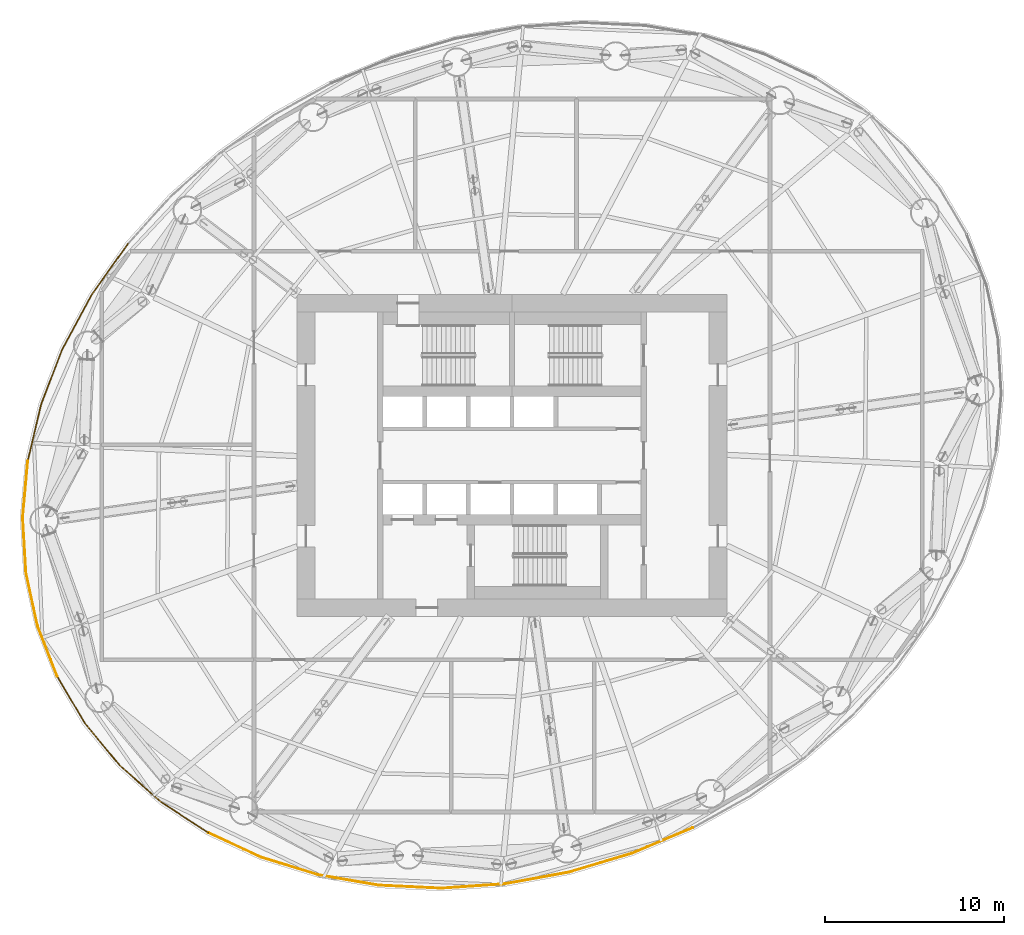
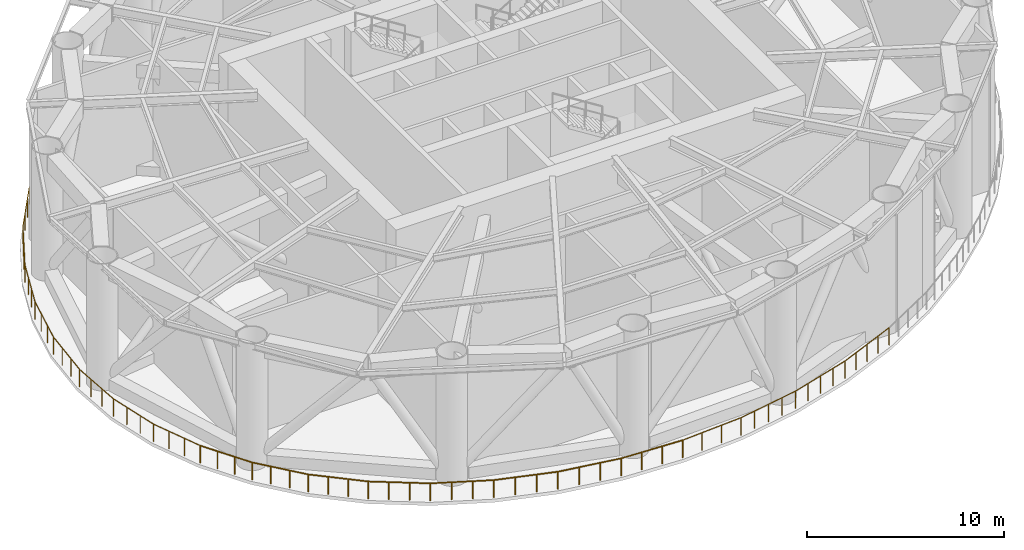
# One storey, part 13 of 15: 5 railings.
"""IFC4 building model written with IfcOpenShell, lengths in metres."""

from ifc_helpers import new_model, si_unit, direction, frame, origin, origin_2d, place, context, subcontext, project, spatial, circle, extrude, material, type_object, element, save


model = new_model("IFC4")

# Units and contexts
model_context = context("Model", 3, precision=1e-05, world=origin(), true_north=direction((0.0, 1.0)))
body_context = subcontext(model_context, "Body", "Model", "MODEL_VIEW")
ifc_project = project(units=[si_unit("LENGTHUNIT", "METRE"), si_unit("AREAUNIT", "SQUARE_METRE"), si_unit("VOLUMEUNIT", "CUBIC_METRE"), si_unit("PLANEANGLEUNIT", "RADIAN"), si_unit("MASSUNIT", "GRAM", prefix="KILO")], contexts=[model_context])

# Site, building, storey
site_placement = place(None, origin())
site = spatial("IfcSite", under=ifc_project, at=site_placement, CompositionType="ELEMENT")
building_placement = place(site_placement, origin())
building = spatial("IfcBuilding", under=site, at=building_placement, Name="Vermilion Reach Broadcast Tower", CompositionType="ELEMENT")
storey_placement = place(building_placement, frame((0.0, 0.0, 135.39990234375)))
storey = spatial("IfcBuildingStorey", under=building, at=storey_placement, Name="L32", CompositionType="ELEMENT", Elevation=135.39990234375)

# Railings
ifc_material = material(Name="Steel guardrail with stainless infill", Category="steel")
railing_type = type_object("IfcRailingType", Name="Open floor guardrail 1100", PredefinedType="GUARDRAIL", material=ifc_material)
railing_1_placement = place(storey_placement, frame((-27.44189453125, 11.813720703125, 0.0)))
element("IfcRailing", 1, at=railing_1_placement, inside=storey, type_object=railing_type, Name="sp.rail.L32.04", PredefinedType="GUARDRAIL", context=body_context, shape_type="SweptSolid", body=[
    extrude(circle(Radius=0.02490234375, at=origin_2d()), frame((0.0, 0.0, 1.0751953125), z_axis=(-0.579005853199, -0.815323384898, 0.0), x_axis=(0.815323384898, -0.579005853199, 0.0)), (0.0, 0.0, 1.0), 3.500244140625),
    extrude(circle(Radius=0.02490234375, at=origin_2d()), frame((-2.026611328125, -2.853759765625, 1.0751953125), z_axis=(-0.475254010474, -0.879848637851, 0.0), x_axis=(0.879848637851, -0.475254010474, 0.0)), (0.0, 0.0, 1.0), 3.417236328125),
    extrude(circle(Radius=0.02490234375, at=origin_2d()), frame((-3.650634765625, -5.8603515625, 1.0751953125), z_axis=(-0.358698940051, -0.933453303817, 0.0), x_axis=(0.933453303817, -0.358698940051, 0.0)), (0.0, 0.0, 1.0), 3.328857421875),
    extrude(circle(Radius=0.02490234375, at=origin_2d()), frame((-4.8447265625, -8.9677734375, 1.0751953125), z_axis=(-0.229631182242, -0.973277719945, 0.0), x_axis=(0.973277719945, -0.229631182242, 0.0)), (0.0, 0.0, 1.0), 3.24169921875),
    extrude(circle(Radius=0.02490234375, at=origin_2d()), origin(), (0.0, 0.0, 1.0), 1.050048828125),
    extrude(circle(Radius=0.02490234375, at=origin_2d()), frame((-0.675537109375, -0.951171875, 0.0)), (0.0, 0.0, 1.0), 1.050048828125),
    extrude(circle(Radius=0.02490234375, at=origin_2d()), frame((-1.35107421875, -1.902587890625, 0.0)), (0.0, 0.0, 1.0), 1.050048828125),
    extrude(circle(Radius=0.02490234375, at=origin_2d()), frame((-2.026611328125, -2.853759765625, 0.0)), (0.0, 0.0, 1.0), 1.050048828125),
    extrude(circle(Radius=0.02490234375, at=origin_2d()), frame((-2.56787109375, -3.85595703125, 0.0)), (0.0, 0.0, 1.0), 1.050048828125),
    extrude(circle(Radius=0.02490234375, at=origin_2d()), frame((-3.109375, -4.858154296875, 0.0)), (0.0, 0.0, 1.0), 1.050048828125),
    extrude(circle(Radius=0.02490234375, at=origin_2d()), frame((-3.650634765625, -5.8603515625, 0.0)), (0.0, 0.0, 1.0), 1.050048828125),
    extrude(circle(Radius=0.02490234375, at=origin_2d()), frame((-4.048583984375, -6.896240234375, 0.0)), (0.0, 0.0, 1.0), 1.050048828125),
    extrude(circle(Radius=0.02490234375, at=origin_2d()), frame((-4.44677734375, -7.931884765625, 0.0)), (0.0, 0.0, 1.0), 1.050048828125),
    extrude(circle(Radius=0.02490234375, at=origin_2d()), frame((-4.8447265625, -8.9677734375, 0.0)), (0.0, 0.0, 1.0), 1.050048828125),
    extrude(circle(Radius=0.02490234375, at=origin_2d()), frame((-5.0927734375, -10.01953125, 0.0)), (0.0, 0.0, 1.0), 1.050048828125),
    extrude(circle(Radius=0.02490234375, at=origin_2d()), frame((-5.341064453125, -11.071044921875, 0.0)), (0.0, 0.0, 1.0), 1.050048828125),
    extrude(circle(Radius=0.02490234375, at=origin_2d()), frame((-5.589111328125, -12.122802734375, 0.0)), (0.0, 0.0, 1.0), 1.050048828125),
])
railing_2_placement = place(storey_placement, frame((-33.031005859375, -0.30908203125, 0.0)))
element("IfcRailing", 2, at=railing_2_placement, inside=storey, type_object=railing_type, Name="sp.rail.L32.05", PredefinedType="GUARDRAIL", context=body_context, shape_type="SweptSolid", body=[
    extrude(circle(Radius=0.02490234375, at=origin_2d()), frame((0.0, 0.0, 1.0751953125), z_axis=(-0.089275341107, -0.996006984649, 0.0), x_axis=(0.996006984649, -0.089275341107, 0.0)), (0.0, 0.0, 1.0), 3.161376953125),
    extrude(circle(Radius=0.02490234375, at=origin_2d()), frame((-0.2822265625, -3.148681640625, 1.0751953125), z_axis=(0.059651707693, -0.998219251352, 0.0), x_axis=(0.998219251352, 0.059651707693, 0.0)), (0.0, 0.0, 1.0), 3.09423828125),
    extrude(circle(Radius=0.02490234375, at=origin_2d()), frame((-0.09765625, -6.2373046875, 1.0751953125), z_axis=(0.212582725919, -0.977143072759, 0.0), x_axis=(0.977143072759, 0.212582725919, 0.0)), (0.0, 0.0, 1.0), 3.045654296875),
    extrude(circle(Radius=0.02490234375, at=origin_2d()), frame((0.5498046875, -9.21337890625, 1.0751953125), z_axis=(0.363978728968, -0.931407260471, 0.0), x_axis=(0.931407260471, 0.363978728968, 0.0)), (0.0, 0.0, 1.0), 3.0205078125),
    extrude(circle(Radius=0.02490234375, at=origin_2d()), origin(), (0.0, 0.0, 1.0), 1.050048828125),
    extrude(circle(Radius=0.02490234375, at=origin_2d()), frame((-0.093994140625, -1.049560546875, 0.0)), (0.0, 0.0, 1.0), 1.050048828125),
    extrude(circle(Radius=0.02490234375, at=origin_2d()), frame((-0.188232421875, -2.09912109375, 0.0)), (0.0, 0.0, 1.0), 1.050048828125),
    extrude(circle(Radius=0.02490234375, at=origin_2d()), frame((-0.2822265625, -3.148681640625, 0.0)), (0.0, 0.0, 1.0), 1.050048828125),
    extrude(circle(Radius=0.02490234375, at=origin_2d()), frame((-0.220703125, -4.17822265625, 0.0)), (0.0, 0.0, 1.0), 1.050048828125),
    extrude(circle(Radius=0.02490234375, at=origin_2d()), frame((-0.1591796875, -5.207763671875, 0.0)), (0.0, 0.0, 1.0), 1.050048828125),
    extrude(circle(Radius=0.02490234375, at=origin_2d()), frame((-0.09765625, -6.2373046875, 0.0)), (0.0, 0.0, 1.0), 1.050048828125),
    extrude(circle(Radius=0.02490234375, at=origin_2d()), frame((0.1181640625, -7.229248046875, 0.0)), (0.0, 0.0, 1.0), 1.050048828125),
    extrude(circle(Radius=0.02490234375, at=origin_2d()), frame((0.333984375, -8.221435546875, 0.0)), (0.0, 0.0, 1.0), 1.050048828125),
    extrude(circle(Radius=0.02490234375, at=origin_2d()), frame((0.5498046875, -9.21337890625, 0.0)), (0.0, 0.0, 1.0), 1.050048828125),
    extrude(circle(Radius=0.02490234375, at=origin_2d()), frame((0.916259765625, -10.151123046875, 0.0)), (0.0, 0.0, 1.0), 1.050048828125),
    extrude(circle(Radius=0.02490234375, at=origin_2d()), frame((1.28271484375, -11.0888671875, 0.0)), (0.0, 0.0, 1.0), 1.050048828125),
    extrude(circle(Radius=0.02490234375, at=origin_2d()), frame((1.649169921875, -12.026611328125, 0.0)), (0.0, 0.0, 1.0), 1.050048828125),
])
railing_3_placement = place(storey_placement, frame((-31.3818359375, -12.335693359375, 0.0)))
element("IfcRailing", 3, at=railing_3_placement, inside=storey, type_object=railing_type, Name="sp.rail.L32.06", PredefinedType="GUARDRAIL", context=body_context, shape_type="SweptSolid", body=[
    extrude(circle(Radius=0.02490234375, at=origin_2d()), frame((0.0, 0.0, 1.0751953125), z_axis=(0.507465156079, -0.861672278401, 0.0), x_axis=(0.861672278401, 0.507465156079, 0.0)), (0.0, 0.0, 1.0), 3.020263671875),
    extrude(circle(Radius=0.02490234375, at=origin_2d()), frame((1.53271484375, -2.6025390625, 1.0751953125), z_axis=(0.636953948744, -0.770901853143, 0.0), x_axis=(0.770901853143, 0.636953948744, 0.0)), (0.0, 0.0, 1.0), 3.045654296875),
    extrude(circle(Radius=0.02490234375, at=origin_2d()), frame((3.47265625, -4.950439453125, 1.0751953125), z_axis=(0.748022828965, -0.663672997302, 0.0), x_axis=(0.663672997302, 0.748022828965, 0.0)), (0.0, 0.0, 1.0), 3.093994140625),
    extrude(circle(Radius=0.02490234375, at=origin_2d()), frame((5.787109375, -7.00390625, 1.0751953125), z_axis=(0.838293610428, -0.545219059385, 0.0), x_axis=(0.545219059385, 0.838293610428, 0.0)), (0.0, 0.0, 1.0), 3.161376953125),
    extrude(circle(Radius=0.02490234375, at=origin_2d()), origin(), (0.0, 0.0, 1.0), 1.050048828125),
    extrude(circle(Radius=0.02490234375, at=origin_2d()), frame((0.510986328125, -0.867431640625, 0.0)), (0.0, 0.0, 1.0), 1.050048828125),
    extrude(circle(Radius=0.02490234375, at=origin_2d()), frame((1.021728515625, -1.735107421875, 0.0)), (0.0, 0.0, 1.0), 1.050048828125),
    extrude(circle(Radius=0.02490234375, at=origin_2d()), frame((1.53271484375, -2.6025390625, 0.0)), (0.0, 0.0, 1.0), 1.050048828125),
    extrude(circle(Radius=0.02490234375, at=origin_2d()), frame((2.179443359375, -3.38525390625, 0.0)), (0.0, 0.0, 1.0), 1.050048828125),
    extrude(circle(Radius=0.02490234375, at=origin_2d()), frame((2.825927734375, -4.167724609375, 0.0)), (0.0, 0.0, 1.0), 1.050048828125),
    extrude(circle(Radius=0.02490234375, at=origin_2d()), frame((3.47265625, -4.950439453125, 0.0)), (0.0, 0.0, 1.0), 1.050048828125),
    extrude(circle(Radius=0.02490234375, at=origin_2d()), frame((4.244140625, -5.635009765625, 0.0)), (0.0, 0.0, 1.0), 1.050048828125),
    extrude(circle(Radius=0.02490234375, at=origin_2d()), frame((5.015625, -6.3193359375, 0.0)), (0.0, 0.0, 1.0), 1.050048828125),
    extrude(circle(Radius=0.02490234375, at=origin_2d()), frame((5.787109375, -7.00390625, 0.0)), (0.0, 0.0, 1.0), 1.050048828125),
    extrude(circle(Radius=0.02490234375, at=origin_2d()), frame((6.67041015625, -7.578369140625, 0.0)), (0.0, 0.0, 1.0), 1.050048828125),
    extrude(circle(Radius=0.02490234375, at=origin_2d()), frame((7.553955078125, -8.153076171875, 0.0)), (0.0, 0.0, 1.0), 1.050048828125),
    extrude(circle(Radius=0.02490234375, at=origin_2d()), frame((8.437255859375, -8.7275390625, 0.0)), (0.0, 0.0, 1.0), 1.050048828125),
])
railing_4_placement = place(storey_placement, frame((-22.944580078125, -21.063232421875, 0.0)))
element("IfcRailing", 4, at=railing_4_placement, inside=storey, type_object=railing_type, Name="sp.rail.L32.07", PredefinedType="GUARDRAIL", context=body_context, shape_type="SweptSolid", body=[
    extrude(circle(Radius=0.02490234375, at=origin_2d()), frame((0.0, 0.0, 1.0751953125), z_axis=(0.907175320106, -0.420752823629, 0.0), x_axis=(0.420752823629, 0.907175320106, 0.0)), (0.0, 0.0, 1.0), 3.241943359375),
    extrude(circle(Radius=0.02490234375, at=origin_2d()), frame((2.94091796875, -1.364013671875, 1.0751953125), z_axis=(0.955598059159, -0.294673292533, 0.0), x_axis=(0.294673292533, 0.955598059159, 0.0)), (0.0, 0.0, 1.0), 3.328857421875),
    extrude(circle(Radius=0.02490234375, at=origin_2d()), frame((6.1220703125, -2.344970703125, 1.0751953125), z_axis=(0.985461353244, -0.169899738854, 0.0), x_axis=(0.169899738854, 0.985461353244, 0.0)), (0.0, 0.0, 1.0), 3.4169921875),
    extrude(circle(Radius=0.02490234375, at=origin_2d()), frame((9.489501953125, -2.925537109375, 1.0751953125), z_axis=(0.998820781228, -0.048549428293, 0.0), x_axis=(0.048549428293, 0.998820781228, 0.0)), (0.0, 0.0, 1.0), 3.5),
    extrude(circle(Radius=0.02490234375, at=origin_2d()), origin(), (0.0, 0.0, 1.0), 1.050048828125),
    extrude(circle(Radius=0.02490234375, at=origin_2d()), frame((0.980224609375, -0.45458984375, 0.0)), (0.0, 0.0, 1.0), 1.050048828125),
    extrude(circle(Radius=0.02490234375, at=origin_2d()), frame((1.960693359375, -0.909423828125, 0.0)), (0.0, 0.0, 1.0), 1.050048828125),
    extrude(circle(Radius=0.02490234375, at=origin_2d()), frame((2.94091796875, -1.364013671875, 0.0)), (0.0, 0.0, 1.0), 1.050048828125),
    extrude(circle(Radius=0.02490234375, at=origin_2d()), frame((4.001220703125, -1.69091796875, 0.0)), (0.0, 0.0, 1.0), 1.050048828125),
    extrude(circle(Radius=0.02490234375, at=origin_2d()), frame((5.061767578125, -2.01806640625, 0.0)), (0.0, 0.0, 1.0), 1.050048828125),
    extrude(circle(Radius=0.02490234375, at=origin_2d()), frame((6.1220703125, -2.344970703125, 0.0)), (0.0, 0.0, 1.0), 1.050048828125),
    extrude(circle(Radius=0.02490234375, at=origin_2d()), frame((7.24462890625, -2.53857421875, 0.0)), (0.0, 0.0, 1.0), 1.050048828125),
    extrude(circle(Radius=0.02490234375, at=origin_2d()), frame((8.366943359375, -2.73193359375, 0.0)), (0.0, 0.0, 1.0), 1.050048828125),
    extrude(circle(Radius=0.02490234375, at=origin_2d()), frame((9.489501953125, -2.925537109375, 0.0)), (0.0, 0.0, 1.0), 1.050048828125),
    extrude(circle(Radius=0.02490234375, at=origin_2d()), frame((10.65478515625, -2.982177734375, 0.0)), (0.0, 0.0, 1.0), 1.050048828125),
    extrude(circle(Radius=0.02490234375, at=origin_2d()), frame((11.820068359375, -3.038818359375, 0.0)), (0.0, 0.0, 1.0), 1.050048828125),
    extrude(circle(Radius=0.02490234375, at=origin_2d()), frame((12.9853515625, -3.095458984375, 0.0)), (0.0, 0.0, 1.0), 1.050048828125),
])
railing_5_placement = place(storey_placement, frame((-9.959228515625, -24.15869140625, 0.0)))
element("IfcRailing", 5, at=railing_5_placement, inside=storey, type_object=railing_type, Name="sp.rail.L32.08", PredefinedType="GUARDRAIL", context=body_context, shape_type="SweptSolid", body=[
    extrude(circle(Radius=0.02490234375, at=origin_2d()), frame((0.0, 0.0, 1.0751953125), z_axis=(0.997666902894, 0.06826969217, 0.0), x_axis=(-0.06826969217, 0.997666902894, 0.0)), (0.0, 0.0, 1.0), 3.572509765625),
    extrude(circle(Radius=0.02490234375, at=origin_2d()), frame((3.564208984375, 0.243896484375, 1.0751953125), z_axis=(0.983642118442, 0.180133791463, 0.0), x_axis=(-0.180133791463, 0.983642118442, 0.0)), (0.0, 0.0, 1.0), 3.630859375),
    extrude(circle(Radius=0.02490234375, at=origin_2d()), frame((7.1357421875, 0.89794921875, 1.0751953125), z_axis=(0.958010934308, 0.286731668545, 0.0), x_axis=(-0.286731668545, 0.958010934308, 0.0)), (0.0, 0.0, 1.0), 3.67138671875),
    extrude(circle(Radius=0.02490234375, at=origin_2d()), frame((10.653076171875, 1.95068359375, 1.0751953125), z_axis=(0.921569393464, 0.388213669299, 0.0), x_axis=(-0.388213669299, 0.921569393464, 0.0)), (0.0, 0.0, 1.0), 3.692138671875),
    extrude(circle(Radius=0.02490234375, at=origin_2d()), origin(), (0.0, 0.0, 1.0), 1.050048828125),
    extrude(circle(Radius=0.02490234375, at=origin_2d()), frame((1.18798828125, 0.081298828125, 0.0)), (0.0, 0.0, 1.0), 1.050048828125),
    extrude(circle(Radius=0.02490234375, at=origin_2d()), frame((2.376220703125, 0.16259765625, 0.0)), (0.0, 0.0, 1.0), 1.050048828125),
    extrude(circle(Radius=0.02490234375, at=origin_2d()), frame((3.564208984375, 0.243896484375, 0.0)), (0.0, 0.0, 1.0), 1.050048828125),
    extrude(circle(Radius=0.02490234375, at=origin_2d()), frame((4.45703125, 0.407470703125, 0.0)), (0.0, 0.0, 1.0), 1.050048828125),
    extrude(circle(Radius=0.02490234375, at=origin_2d()), frame((5.35009765625, 0.57080078125, 0.0)), (0.0, 0.0, 1.0), 1.050048828125),
    extrude(circle(Radius=0.02490234375, at=origin_2d()), frame((6.242919921875, 0.734375, 0.0)), (0.0, 0.0, 1.0), 1.050048828125),
    extrude(circle(Radius=0.02490234375, at=origin_2d()), frame((7.1357421875, 0.89794921875, 0.0)), (0.0, 0.0, 1.0), 1.050048828125),
    extrude(circle(Radius=0.02490234375, at=origin_2d()), frame((8.01513671875, 1.1611328125, 0.0)), (0.0, 0.0, 1.0), 1.050048828125),
    extrude(circle(Radius=0.02490234375, at=origin_2d()), frame((8.89453125, 1.42431640625, 0.0)), (0.0, 0.0, 1.0), 1.050048828125),
    extrude(circle(Radius=0.02490234375, at=origin_2d()), frame((9.773681640625, 1.6875, 0.0)), (0.0, 0.0, 1.0), 1.050048828125),
    extrude(circle(Radius=0.02490234375, at=origin_2d()), frame((10.653076171875, 1.95068359375, 0.0)), (0.0, 0.0, 1.0), 1.050048828125),
    extrude(circle(Radius=0.02490234375, at=origin_2d()), frame((11.503662109375, 2.30908203125, 0.0)), (0.0, 0.0, 1.0), 1.050048828125),
    extrude(circle(Radius=0.02490234375, at=origin_2d()), frame((12.3544921875, 2.66748046875, 0.0)), (0.0, 0.0, 1.0), 1.050048828125),
    extrude(circle(Radius=0.02490234375, at=origin_2d()), frame((13.205078125, 3.025634765625, 0.0)), (0.0, 0.0, 1.0), 1.050048828125),
    extrude(circle(Radius=0.02490234375, at=origin_2d()), frame((14.0556640625, 3.384033203125, 0.0)), (0.0, 0.0, 1.0), 1.050048828125),
])

save(model, "model.ifc")
